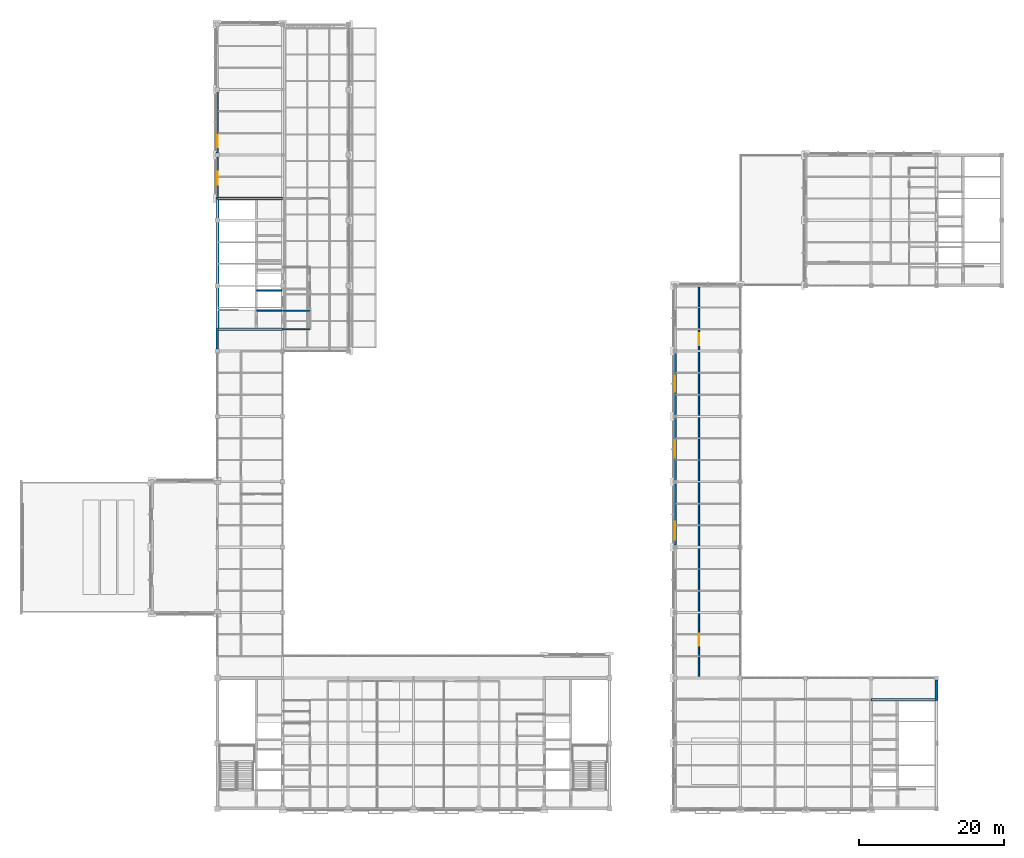
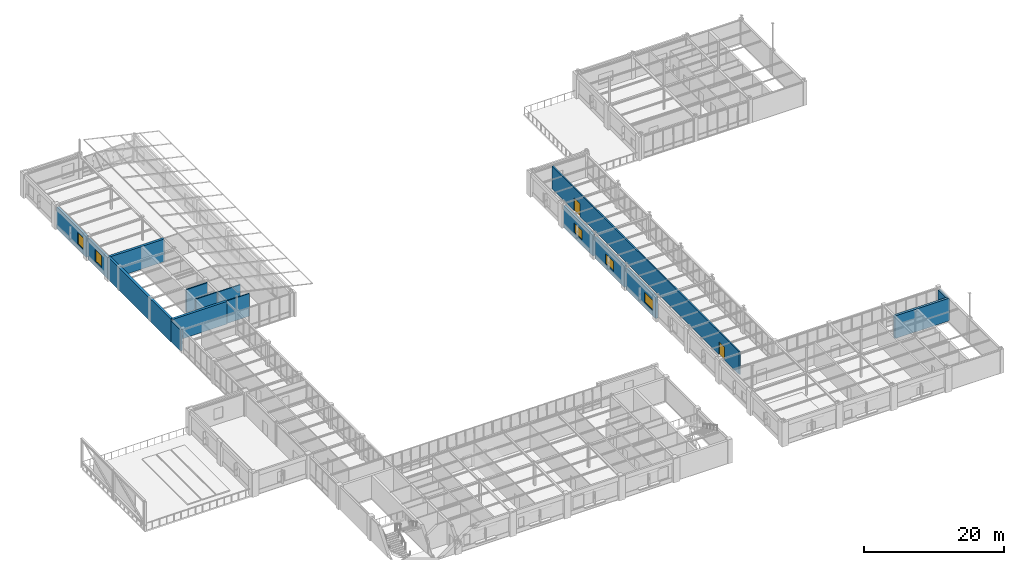
# One storey, part 83 of 97: 16 walls, 5 windows, 2 doors, 7 openings.
"""IFC4 building model written with IfcOpenShell, lengths in metres."""

from ifc_helpers import new_model, si_unit, direction, frame, frame_2d, origin, place, context, subcontext, project, spatial, rectangle, extrude, material, layer, layer_set, type_object, element, fill, save


model = new_model("IFC4")

# Units and contexts
model_context = context("Model", 3, precision=1e-05, world=origin(), true_north=direction((0.0, 1.0)))
body_context = subcontext(model_context, "Body", "Model", "MODEL_VIEW")
ifc_project = project(units=[si_unit("LENGTHUNIT", "METRE"), si_unit("AREAUNIT", "SQUARE_METRE"), si_unit("VOLUMEUNIT", "CUBIC_METRE"), si_unit("PLANEANGLEUNIT", "RADIAN"), si_unit("MASSUNIT", "GRAM", prefix="KILO")], contexts=[model_context])

# Site, building, storey
site_placement = place(None, origin())
site = spatial("IfcSite", under=ifc_project, at=site_placement, CompositionType="ELEMENT")
building_placement = place(site_placement, origin())
building = spatial("IfcBuilding", under=site, at=building_placement, Name="Lykobir Media Centre", CompositionType="ELEMENT")
storey_placement = place(building_placement, frame((0.0, 0.0, 23.39990234375)))
storey = spatial("IfcBuildingStorey", under=building, at=storey_placement, Name="L05", CompositionType="ELEMENT", Elevation=23.39990234375)

# Wall, opening, window
ifc_material_1 = material(Name="Architectural Ochre Brick", Category="masonry")
ifc_layer_1 = layer(ifc_material_1, 0.360107421875, Name="Architectural Ochre Brick")
ifc_layer_set_1 = layer_set([ifc_layer_1], Name="Architectural Ochre Brick")
wall_type_1 = type_object("IfcWallType", Name="EW-BRK-360", PredefinedType="STANDARD", material=ifc_layer_set_1)
wall_1_placement = place(storey_placement, frame((90.0, 44.715087890625, 0.0), z_axis=(0.0, 0.0, 1.0), x_axis=(0.0, -1.0, 0.0)))
wall_1 = element("IfcWall", 1, at=wall_1_placement, inside=storey, type_object=wall_type_1, Name="Exterior wall WALL-L05-0315", PredefinedType="STANDARD", context=body_context, shape_type="SweptSolid", body=[
    extrude(rectangle(XDim=8.43017578125, YDim=0.360107421875, at=frame_2d((4.215087890625, 0.0))), origin(), (0.0, 0.0, 1.0), 3.735107421875),
])
opening_1_placement = place(wall_1_placement, frame((5.179931640625, 0.0, 0.89990234375)))
opening_1 = element("IfcOpeningElement", 2, at=opening_1_placement, cuts=wall_1, Name="Opening WN-2500x1750", PredefinedType="OPENING", context=body_context, shape_type="SweptSolid", body=[
    extrude(rectangle(XDim=2.5, YDim=1.75, at=frame_2d((1.25, 0.875))), frame((0.0, 0.18994140625, 0.0), z_axis=(0.0, -1.0, 0.0), x_axis=(1.0, 0.0, 0.0)), (0.0, 0.0, 1.0), 0.380126953125),
])
ifc_material_2 = material(Name="Low-E Laminated Triple Glazing", Category="glass")
window_type_1 = type_object("IfcWindowType", Name="WN-2500x1750", PartitioningType="SINGLE_PANEL", PredefinedType="WINDOW", material=ifc_material_2)
window_1_placement = place(opening_1_placement, origin())
window_1 = element("IfcWindow", 3, at=window_1_placement, inside=storey, type_object=window_type_1, Name="Window WIN-L05-0128", OverallHeight=1.75, OverallWidth=2.5, PartitioningType="SINGLE_PANEL", PredefinedType="WINDOW", context=body_context, shape_type="SweptSolid", body=[
    extrude(rectangle(XDim=2.5, YDim=1.75, at=frame_2d((1.25, 0.875))), frame((0.0, 0.030029296875, 0.0), z_axis=(0.0, -1.0, 0.0), x_axis=(1.0, 0.0, 0.0)), (0.0, 0.0, 1.0), 0.06005859375),
])
fill(opening_1, window_1)

wall_2_placement = place(storey_placement, frame((90.0, 53.715087890625, 0.0), z_axis=(0.0, 0.0, 1.0), x_axis=(0.0, -1.0, 0.0)))
wall_2 = element("IfcWall", 4, at=wall_2_placement, inside=storey, type_object=wall_type_1, Name="Exterior wall WALL-L05-0316", PredefinedType="STANDARD", context=body_context, shape_type="SweptSolid", body=[
    extrude(rectangle(XDim=8.43017578125, YDim=0.360107421875, at=frame_2d((4.215087890625, 0.0))), origin(), (0.0, 0.0, 1.0), 3.735107421875),
])
opening_2_placement = place(wall_2_placement, frame((3.014892578125, 0.0, 0.89990234375)))
opening_2 = element("IfcOpeningElement", 5, at=opening_2_placement, cuts=wall_2, Name="Opening WN-2400x1700", PredefinedType="OPENING", context=body_context, shape_type="SweptSolid", body=[
    extrude(rectangle(XDim=2.39990234375, YDim=1.699951171875, at=frame_2d((1.199951171875, 0.85009765625))), frame((0.0, 0.18994140625, 0.0), z_axis=(0.0, -1.0, 0.0), x_axis=(1.0, 0.0, 0.0)), (0.0, 0.0, 1.0), 0.380126953125),
])
window_type_2 = type_object("IfcWindowType", Name="WN-2400x1700", PartitioningType="SINGLE_PANEL", PredefinedType="WINDOW", material=ifc_material_2)
window_2_placement = place(opening_2_placement, origin())
window_2 = element("IfcWindow", 6, at=window_2_placement, inside=storey, type_object=window_type_2, Name="Window WIN-L05-0129", OverallHeight=1.699951171875, OverallWidth=2.39990234375, PartitioningType="SINGLE_PANEL", PredefinedType="WINDOW", context=body_context, shape_type="SweptSolid", body=[
    extrude(rectangle(XDim=2.39990234375, YDim=1.699951171875, at=frame_2d((1.199951171875, 0.85009765625))), frame((0.0, 0.030029296875, 0.0), z_axis=(0.0, -1.0, 0.0), x_axis=(1.0, 0.0, 0.0)), (0.0, 0.0, 1.0), 0.06005859375),
])
fill(opening_2, window_2)

wall_3_placement = place(storey_placement, frame((90.0, 62.715087890625, 0.0), z_axis=(0.0, 0.0, 1.0), x_axis=(0.0, -1.0, 0.0)))
wall_3 = element("IfcWall", 7, at=wall_3_placement, inside=storey, type_object=wall_type_1, Name="Exterior wall WALL-L05-0317", PredefinedType="STANDARD", context=body_context, shape_type="SweptSolid", body=[
    extrude(rectangle(XDim=8.43017578125, YDim=0.360107421875, at=frame_2d((4.215087890625, 0.0))), origin(), (0.0, 0.0, 1.0), 3.735107421875),
])
opening_3_placement = place(wall_3_placement, frame((3.114990234375, 0.0, 0.89990234375)))
opening_3 = element("IfcOpeningElement", 8, at=opening_3_placement, cuts=wall_3, Name="Opening WN-2200x1650", PredefinedType="OPENING", context=body_context, shape_type="SweptSolid", body=[
    extrude(rectangle(XDim=2.199951171875, YDim=1.64990234375, at=frame_2d((1.10009765625, 0.824951171875))), frame((0.0, 0.18994140625, 0.0), z_axis=(0.0, -1.0, 0.0), x_axis=(1.0, 0.0, 0.0)), (0.0, 0.0, 1.0), 0.380126953125),
])
window_type_3 = type_object("IfcWindowType", Name="WN-2200x1650", PartitioningType="SINGLE_PANEL", PredefinedType="WINDOW", material=ifc_material_2)
window_3_placement = place(opening_3_placement, origin())
window_3 = element("IfcWindow", 9, at=window_3_placement, inside=storey, type_object=window_type_3, Name="Window WIN-L05-0130", OverallHeight=1.64990234375, OverallWidth=2.199951171875, PartitioningType="SINGLE_PANEL", PredefinedType="WINDOW", context=body_context, shape_type="SweptSolid", body=[
    extrude(rectangle(XDim=2.199951171875, YDim=1.64990234375, at=frame_2d((1.10009765625, 0.824951171875))), frame((0.0, 0.030029296875, 0.0), z_axis=(0.0, -1.0, 0.0), x_axis=(1.0, 0.0, 0.0)), (0.0, 0.0, 1.0), 0.06005859375),
])
fill(opening_3, window_3)

# Walls
wall_4_placement = place(storey_placement, frame((126.0, 14.925048828125, 0.0), z_axis=(0.0, 0.0, 1.0), x_axis=(0.0, 1.0, 0.0)))
element("IfcWall", 10, at=wall_4_placement, inside=storey, type_object=wall_type_1, Name="Exterior wall WALL-L05-0324", PredefinedType="STANDARD", context=body_context, shape_type="SweptSolid", body=[
    extrude(rectangle(XDim=2.7900390625, YDim=0.360107421875, at=frame_2d((1.39501953125, 0.0))), origin(), (0.0, 0.0, 1.0), 3.695068359375),
])
wall_5_placement = place(storey_placement, frame((27.0, 66.074951171875, 0.0), z_axis=(0.0, 0.0, 1.0), x_axis=(0.0, -1.0, 0.0)))
element("IfcWall", 11, at=wall_5_placement, inside=storey, type_object=wall_type_1, Name="Exterior wall WALL-L05-0333", PredefinedType="STANDARD", context=body_context, shape_type="SweptSolid", body=[
    extrude(rectangle(XDim=2.7900390625, YDim=0.360107421875, at=frame_2d((1.39501953125, 0.0))), origin(), (0.0, 0.0, 1.0), 3.715087890625),
])

# Wall, opening, window
wall_6_placement = place(storey_placement, frame((27.0, 89.715087890625, 0.0), z_axis=(0.0, 0.0, 1.0), x_axis=(0.0, -1.0, 0.0)))
wall_6 = element("IfcWall", 12, at=wall_6_placement, inside=storey, type_object=wall_type_1, Name="Exterior wall WALL-L05-0334", PredefinedType="STANDARD", context=body_context, shape_type="SweptSolid", body=[
    extrude(rectangle(XDim=5.7900390625, YDim=0.360107421875, at=frame_2d((2.89501953125, 0.0))), origin(), (0.0, 0.0, 1.0), 3.715087890625),
])
opening_4_placement = place(wall_6_placement, frame((1.9951171875, 0.0, 0.89990234375)))
opening_4 = element("IfcOpeningElement", 13, at=opening_4_placement, cuts=wall_6, Name="Opening WN-1800x2100", PredefinedType="OPENING", context=body_context, shape_type="SweptSolid", body=[
    extrude(rectangle(XDim=1.800048828125, YDim=2.10009765625, at=frame_2d((0.89990234375, 1.050048828125))), frame((0.0, 0.18994140625, 0.0), z_axis=(0.0, -1.0, 0.0), x_axis=(1.0, 0.0, 0.0)), (0.0, 0.0, 1.0), 0.380126953125),
])
window_type_4 = type_object("IfcWindowType", Name="WN-1800x2100", PartitioningType="SINGLE_PANEL", PredefinedType="WINDOW", material=ifc_material_2)
window_4_placement = place(opening_4_placement, origin())
window_4 = element("IfcWindow", 14, at=window_4_placement, inside=storey, type_object=window_type_4, Name="Window WIN-L05-0144", OverallHeight=2.10009765625, OverallWidth=1.800048828125, PartitioningType="SINGLE_PANEL", PredefinedType="WINDOW", context=body_context, shape_type="SweptSolid", body=[
    extrude(rectangle(XDim=1.800048828125, YDim=2.10009765625, at=frame_2d((0.89990234375, 1.050048828125))), frame((0.0, 0.030029296875, 0.0), z_axis=(0.0, -1.0, 0.0), x_axis=(1.0, 0.0, 0.0)), (0.0, 0.0, 1.0), 0.06005859375),
])
fill(opening_4, window_4)

wall_7_placement = place(storey_placement, frame((27.0, 98.715087890625, 0.0), z_axis=(0.0, 0.0, 1.0), x_axis=(0.0, -1.0, 0.0)))
wall_7 = element("IfcWall", 15, at=wall_7_placement, inside=storey, type_object=wall_type_1, Name="Exterior wall WALL-L05-0335", PredefinedType="STANDARD", context=body_context, shape_type="SweptSolid", body=[
    extrude(rectangle(XDim=8.43017578125, YDim=0.360107421875, at=frame_2d((4.215087890625, 0.0))), origin(), (0.0, 0.0, 1.0), 3.715087890625),
])
opening_5_placement = place(wall_7_placement, frame((5.97998046875, 0.0, 0.89990234375)))
opening_5 = element("IfcOpeningElement", 16, at=opening_5_placement, cuts=wall_7, Name="Opening WN-1700x2050", PredefinedType="OPENING", context=body_context, shape_type="SweptSolid", body=[
    extrude(rectangle(XDim=1.699951171875, YDim=2.050048828125, at=frame_2d((0.85009765625, 1.02490234375))), frame((0.0, 0.18994140625, 0.0), z_axis=(0.0, -1.0, 0.0), x_axis=(1.0, 0.0, 0.0)), (0.0, 0.0, 1.0), 0.380126953125),
])
window_type_5 = type_object("IfcWindowType", Name="WN-1700x2050", PartitioningType="SINGLE_PANEL", PredefinedType="WINDOW", material=ifc_material_2)
window_5_placement = place(opening_5_placement, origin())
window_5 = element("IfcWindow", 17, at=window_5_placement, inside=storey, type_object=window_type_5, Name="Window WIN-L05-0145", OverallHeight=2.050048828125, OverallWidth=1.699951171875, PartitioningType="SINGLE_PANEL", PredefinedType="WINDOW", context=body_context, shape_type="SweptSolid", body=[
    extrude(rectangle(XDim=1.699951171875, YDim=2.050048828125, at=frame_2d((0.85009765625, 1.02490234375))), frame((0.0, 0.030029296875, 0.0), z_axis=(0.0, -1.0, 0.0), x_axis=(1.0, 0.0, 0.0)), (0.0, 0.0, 1.0), 0.06005859375),
])
fill(opening_5, window_5)

# Walls
ifc_material_3 = material(Name="Acoustic Gypsum Board", Category="gypsum")
ifc_layer_2 = layer(ifc_material_3, 0.159912109375, Name="Acoustic Gypsum Board")
ifc_layer_set_2 = layer_set([ifc_layer_2], Name="Acoustic Gypsum Board")
wall_type_2 = type_object("IfcWallType", Name="IW-COR-160", PredefinedType="PARTITIONING", material=ifc_layer_set_2)
for number, where, z_axis, x_axis, name in (
    (18, (36.0, 66.0, 0.0), (0.0, 0.0, 1.0), (1.0, 0.0, 0.0), "Wall IWALL-L05-0450"),
    (19, (36.0, 68.550048828125, 0.0), (0.0, 0.0, 1.0), (1.0, 0.0, 0.0), "Wall IWALL-L05-0451"),
):
    element("IfcWall", number, at=place(storey_placement, frame(where, z_axis=z_axis, x_axis=x_axis)), inside=storey, type_object=wall_type_2, Name=name, PredefinedType="PARTITIONING", context=body_context, shape_type="SweptSolid", body=[
        extrude(rectangle(XDim=3.75, YDim=0.159912109375, at=frame_2d((1.875, 0.0))), origin(), (0.0, 0.0, 1.0), 3.960205078125),
    ])
ifc_material_4 = material(Name="Concrete C30/37", Category="concrete")
ifc_layer_3 = layer(ifc_material_4, 0.199951171875, Name="Concrete C30/37")
ifc_layer_set_3 = layer_set([ifc_layer_3], Name="Concrete C30/37")
wall_type_3 = type_object("IfcWallType", Name="IW-SHAFT-200", PredefinedType="PARTITIONING", material=ifc_layer_set_3)
for number, where, z_axis, x_axis, name in (
    (20, (32.39990234375, 68.60009765625, 0.0), (0.0, 0.0, 1.0), (1.0, 0.0, 0.0), "Wall IWALL-L05-0444"),
    (21, (32.39990234375, 71.35009765625, 0.0), (0.0, 0.0, 1.0), (1.0, 0.0, 0.0), "Wall IWALL-L05-0445"),
):
    element("IfcWall", number, at=place(storey_placement, frame(where, z_axis=z_axis, x_axis=x_axis)), inside=storey, type_object=wall_type_3, Name=name, PredefinedType="PARTITIONING", context=body_context, shape_type="SweptSolid", body=[
        extrude(rectangle(XDim=3.5, YDim=0.199951171875, at=frame_2d((1.75, 0.0))), origin(), (0.0, 0.0, 1.0), 3.960205078125),
    ])

# Wall, openings, doors
ifc_layer_4 = layer(ifc_material_3, 0.219970703125, Name="Acoustic Gypsum Board")
ifc_layer_set_4 = layer_set([ifc_layer_4], Name="Acoustic Gypsum Board")
wall_type_4 = type_object("IfcWallType", Name="IW-STU-220", PredefinedType="PARTITIONING", material=ifc_layer_set_4)
wall_8_placement = place(storey_placement, frame((93.300048828125, 18.199951171875, 0.0), z_axis=(0.0, 0.0, 1.0), x_axis=(0.0, 1.0, 0.0)))
wall_8 = element("IfcWall", 22, at=wall_8_placement, inside=storey, type_object=wall_type_4, Name="Wall IWALL-L05-0768", PredefinedType="PARTITIONING", context=body_context, shape_type="SweptSolid", body=[
    extrude(rectangle(XDim=53.60009765625, YDim=0.219970703125, at=frame_2d((26.800048828125, 0.0))), origin(), (0.0, 0.0, 1.0), 3.960205078125),
])
opening_6_placement = place(wall_8_placement, frame((4.199951171875, 0.0, 0.0)))
opening_6 = element("IfcOpeningElement", 23, at=opening_6_placement, cuts=wall_8, Name="Opening D-L05-EP1", PredefinedType="OPENING", context=body_context, shape_type="SweptSolid", body=[
    extrude(rectangle(XDim=1.64990234375, YDim=2.25, at=frame_2d((0.824951171875, 1.125))), frame((0.0, 0.119873046875, 0.0), z_axis=(0.0, -1.0, 0.0), x_axis=(1.0, 0.0, 0.0)), (0.0, 0.0, 1.0), 0.239990234375),
])
opening_7_placement = place(wall_8_placement, frame((45.60009765625, 0.0, 0.0)))
opening_7 = element("IfcOpeningElement", 24, at=opening_7_placement, cuts=wall_8, Name="Opening D-L05-EP2", PredefinedType="OPENING", context=body_context, shape_type="SweptSolid", body=[
    extrude(rectangle(XDim=1.64990234375, YDim=2.25, at=frame_2d((0.824951171875, 1.125))), frame((0.0, 0.119873046875, 0.0), z_axis=(0.0, -1.0, 0.0), x_axis=(1.0, 0.0, 0.0)), (0.0, 0.0, 1.0), 0.239990234375),
])
ifc_material_5 = material(Name="Acoustic Timber Panelling", Category="wood")
door_type = type_object("IfcDoorType", Name="FD-1650x2250", OperationType="NOTDEFINED", PredefinedType="DOOR", material=ifc_material_5)
door_1_placement = place(opening_6_placement, origin())
door_1 = element("IfcDoor", 25, at=door_1_placement, inside=storey, type_object=door_type, Name="Door D-L05-EP1", OperationType="DOUBLE_DOOR_SINGLE_SWING", OverallHeight=2.25, OverallWidth=1.64990234375, PredefinedType="DOOR", context=body_context, shape_type="SweptSolid", body=[
    extrude(rectangle(XDim=1.64990234375, YDim=2.25, at=frame_2d((0.824951171875, 1.125))), frame((0.0, 0.02490234375, 0.0), z_axis=(0.0, -1.0, 0.0), x_axis=(1.0, 0.0, 0.0)), (0.0, 0.0, 1.0), 0.050048828125),
])
fill(opening_6, door_1)
door_2_placement = place(opening_7_placement, origin())
door_2 = element("IfcDoor", 26, at=door_2_placement, inside=storey, type_object=door_type, Name="Door D-L05-EP2", OperationType="DOUBLE_DOOR_SINGLE_SWING", OverallHeight=2.25, OverallWidth=1.64990234375, PredefinedType="DOOR", context=body_context, shape_type="SweptSolid", body=[
    extrude(rectangle(XDim=1.64990234375, YDim=2.25, at=frame_2d((0.824951171875, 1.125))), frame((0.0, 0.02490234375, 0.0), z_axis=(0.0, -1.0, 0.0), x_axis=(1.0, 0.0, 0.0)), (0.0, 0.0, 1.0), 0.050048828125),
])
fill(opening_7, door_2)

# Walls
ifc_material_6 = material(Name="Concrete C40/50", Category="concrete")
ifc_layer_5 = layer(ifc_material_6, 0.39990234375, Name="Concrete C40/50")
ifc_layer_set_5 = layer_set([ifc_layer_5], Name="Concrete C40/50")
wall_type_5 = type_object("IfcWallType", Name="SW-CORE-400", PredefinedType="SHEAR", material=ifc_layer_set_5)
wall_9_placement = place(storey_placement, frame((27.0, 66.0, 0.0), z_axis=(0.0, 0.0, 1.0), x_axis=(1.0, 0.0, 0.0)))
element("IfcWall", 27, at=wall_9_placement, inside=storey, type_object=wall_type_5, Name="Wall IWALL-L05-0439", PredefinedType="SHEAR", context=body_context, shape_type="SweptSolid", body=[
    extrude(rectangle(XDim=9.0, YDim=0.39990234375, at=frame_2d((4.5, 0.0))), origin(), (0.0, 0.0, 1.0), 3.960205078125),
])
ifc_layer_6 = layer(ifc_material_6, 0.39990234375, Name="Concrete C40/50")
ifc_layer_set_6 = layer_set([ifc_layer_6], Name="Concrete C40/50")
wall_type_6 = type_object("IfcWallType", Name="SW-CORE-400-E", PredefinedType="SHEAR", material=ifc_layer_set_6)
wall_10_placement = place(storey_placement, frame((36.0, 84.0, 0.0), z_axis=(0.0, 0.0, 1.0), x_axis=(-1.0, 0.0, 0.0)))
element("IfcWall", 28, at=wall_10_placement, inside=storey, type_object=wall_type_6, Name="Wall IWALL-L05-0441", PredefinedType="SHEAR", context=body_context, shape_type="SweptSolid", body=[
    extrude(rectangle(XDim=9.0, YDim=0.39990234375, at=frame_2d((4.5, 0.0))), origin(), (0.0, 0.0, 1.0), 3.960205078125),
])
wall_11_placement = place(storey_placement, frame((27.0, 84.0, 0.0), z_axis=(0.0, 0.0, 1.0), x_axis=(0.0, -1.0, 0.0)))
element("IfcWall", 29, at=wall_11_placement, inside=storey, type_object=wall_type_6, Name="Wall IWALL-L05-0442", PredefinedType="SHEAR", context=body_context, shape_type="SweptSolid", body=[
    extrude(rectangle(XDim=18.0, YDim=0.39990234375, at=frame_2d((9.0, 0.0))), origin(), (0.0, 0.0, 1.0), 3.960205078125),
])
wall_12_placement = place(storey_placement, frame((126.0, 15.0, 0.0), z_axis=(0.0, 0.0, 1.0), x_axis=(-1.0, 0.0, 0.0)))
element("IfcWall", 30, at=wall_12_placement, inside=storey, type_object=wall_type_6, Name="Wall IWALL-L05-0636", PredefinedType="SHEAR", context=body_context, shape_type="SweptSolid", body=[
    extrude(rectangle(XDim=9.0, YDim=0.39990234375, at=frame_2d((4.5, 0.0))), origin(), (0.0, 0.0, 1.0), 3.960205078125),
])

save(model, "model.ifc")
